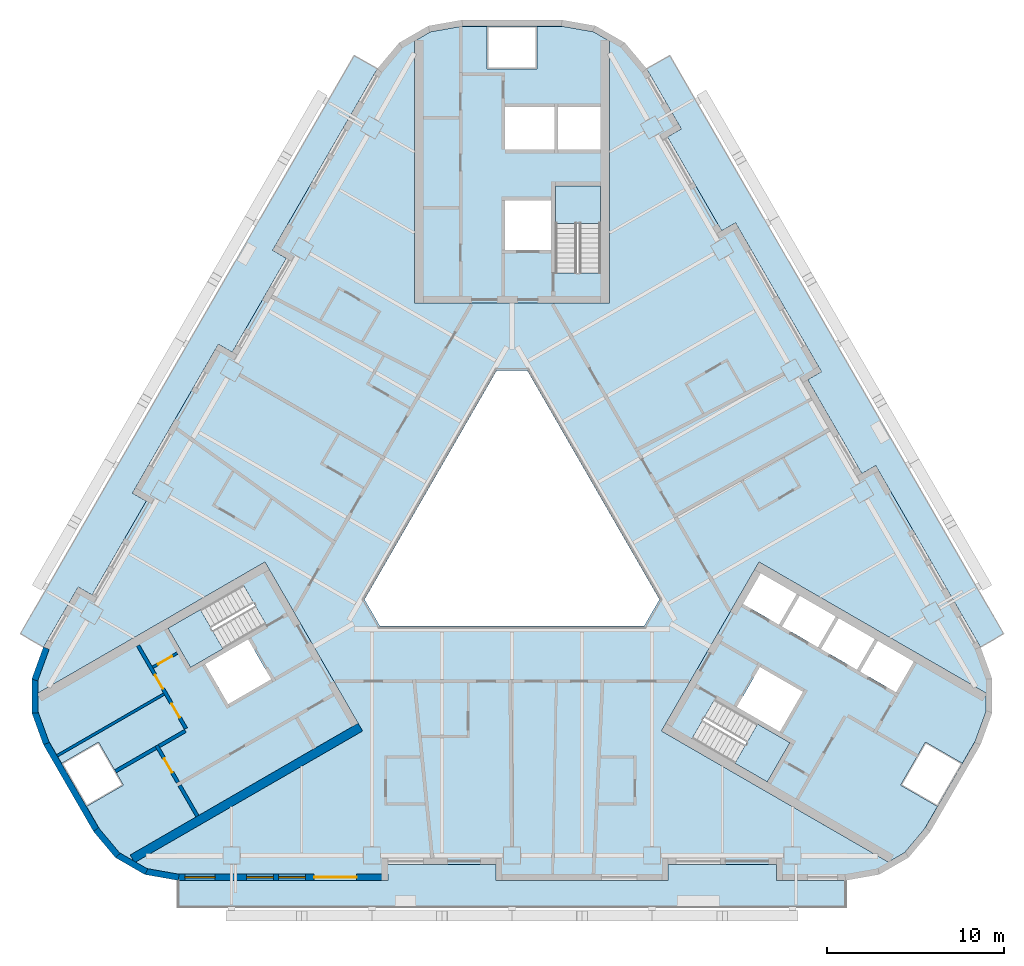
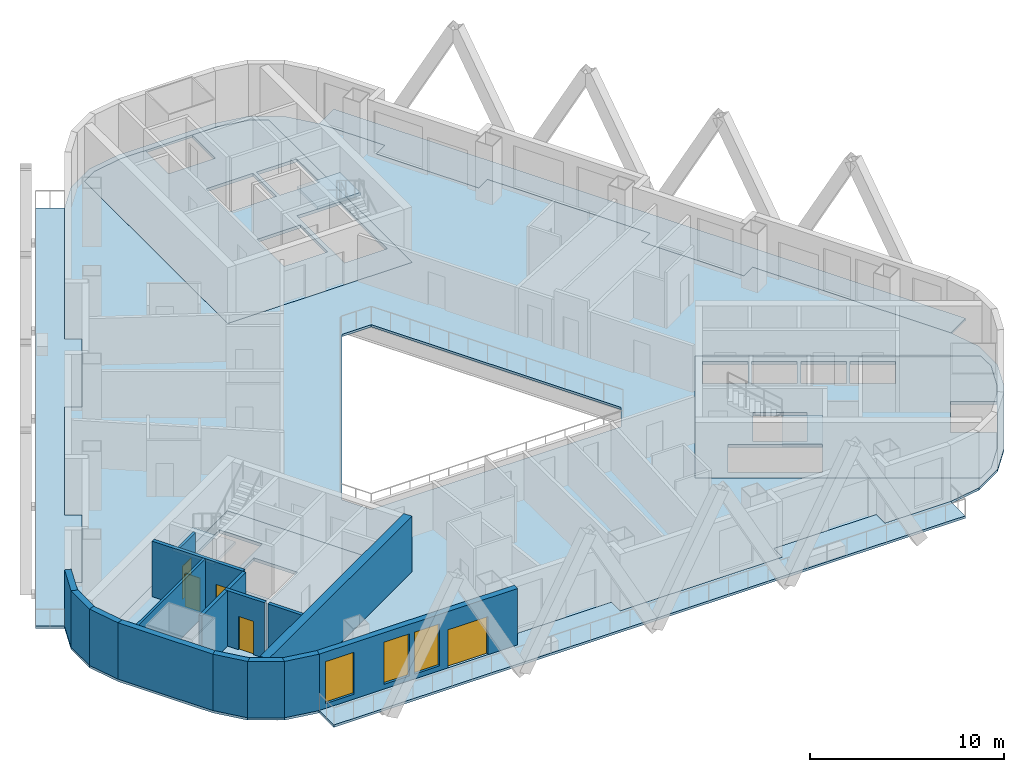
# One storey, part 2 of 14: 16 walls, 10 slabs, 5 doors, 3 windows, 8 openings, 3 elements without a shape of their own.
"""IFC4 building model written with IfcOpenShell, lengths in metres."""

from ifc_helpers import new_model, si_unit, direction, frame, frame_2d, origin, place, context, subcontext, project, spatial, polyline, rectangle, outline, extrude, material, layer, layer_set, type_object, element, fill, aggregate, save


model = new_model("IFC4")

# Units and contexts
model_context = context("Model", 3, precision=1e-05, world=origin(), true_north=direction((0.0, 1.0)))
body_context = subcontext(model_context, "Body", "Model", "MODEL_VIEW")
ifc_project = project(units=[si_unit("LENGTHUNIT", "METRE"), si_unit("AREAUNIT", "SQUARE_METRE"), si_unit("VOLUMEUNIT", "CUBIC_METRE"), si_unit("PLANEANGLEUNIT", "RADIAN"), si_unit("MASSUNIT", "GRAM", prefix="KILO")], contexts=[model_context])

# Site, building, storey
site_placement = place(None, origin())
site = spatial("IfcSite", under=ifc_project, at=site_placement, CompositionType="ELEMENT")
building_placement = place(site_placement, origin())
building = spatial("IfcBuilding", under=site, at=building_placement, Name="Apuvela Tower Hotel", CompositionType="ELEMENT")
storey_placement = place(building_placement, frame((0.0, 0.0, 76.10009765625)))
storey = spatial("IfcBuildingStorey", under=building, at=storey_placement, Name="L16", CompositionType="ELEMENT", Elevation=76.10009765625)

# Slabs
ifc_material_1 = material(Name="Concrete C50/60", Category="concrete")
ifc_layer_1 = layer(ifc_material_1, 0.199951171875)
ifc_layer_set_1 = layer_set([ifc_layer_1], Name="COR-FLOOR-200")
slab_type_1 = type_object("IfcSlabType", Name="COR-FLOOR-200", PredefinedType="FLOOR", material=ifc_layer_set_1)
slab_1_placement = place(storey_placement, frame((0.0, 0.0, -0.2001953125)))
element("IfcSlab", 1, at=slab_1_placement, inside=storey, type_object=slab_type_1, Name="Core floor N", PredefinedType="FLOOR", context=body_context, shape_type="SweptSolid", body=[
    extrude(outline(polyline([(5.5, 27.668212890625), (4.588623046875, 28.1943359375), (2.85498046875, 28.5), (1.39990234375, 28.5), (1.39990234375, 26.10009765625), (-1.39990234375, 26.10009765625), (-1.39990234375, 28.5), (-2.85498046875, 28.5), (-4.588623046875, 28.1943359375), (-5.5, 27.668212890625), (-5.5, 12.89990234375), (5.5, 12.89990234375), (5.5, 27.668212890625)]), holes=[polyline([(5.0, 14.60595703125), (2.449951171875, 14.60595703125), (2.449951171875, 19.5), (5.0, 19.5), (5.0, 14.60595703125)]), polyline([(2.199951171875, 15.89990234375), (-0.39990234375, 15.89990234375), (-0.39990234375, 18.699951171875), (2.199951171875, 18.699951171875), (2.199951171875, 15.89990234375)]), polyline([(5.0, 21.550048828125), (2.60009765625, 21.550048828125), (2.60009765625, 23.949951171875), (5.0, 23.949951171875), (5.0, 21.550048828125)]), polyline([(2.39990234375, 21.550048828125), (-0.39990234375, 21.550048828125), (-0.39990234375, 23.949951171875), (2.39990234375, 23.949951171875), (2.39990234375, 21.550048828125)])]), origin(), (0.0, 0.0, 1.0), 0.2001953125),
])
slab_2_placement = place(storey_placement, frame((0.0, 0.0, -0.2001953125)))
element("IfcSlab", 2, at=slab_2_placement, inside=storey, type_object=slab_type_1, Name="Core floor SW", PredefinedType="FLOOR", context=body_context, shape_type="SweptSolid", body=[
    extrude(outline(polyline([(-26.711181640625, -9.07080078125), (-26.711181640625, -10.123291015625), (-26.109375, -11.77734375), (-25.381591796875, -13.03759765625), (-23.30322265625, -11.837646484375), (-21.9033203125, -14.262451171875), (-23.981689453125, -15.46240234375), (-23.254150390625, -16.72265625), (-22.122802734375, -18.071044921875), (-21.211181640625, -18.59716796875), (-8.421630859375, -11.213134765625), (-13.921630859375, -1.68701171875), (-26.711181640625, -9.07080078125)]), holes=[polyline([(-13.874267578125, -5.18115234375), (-18.112548828125, -7.628173828125), (-19.387451171875, -5.419921875), (-15.149169921875, -2.972900390625), (-13.874267578125, -5.18115234375)]), polyline([(-13.56982421875, -8.29638671875), (-15.99462890625, -9.6962890625), (-17.294677734375, -7.444580078125), (-14.869873046875, -6.044677734375), (-13.56982421875, -8.29638671875)])]), origin(), (0.0, 0.0, 1.0), 0.2001953125),
])
slab_3_placement = place(storey_placement, frame((0.0, 0.0, -0.2001953125)))
element("IfcSlab", 3, at=slab_3_placement, inside=storey, type_object=slab_type_1, Name="Core floor SE", PredefinedType="FLOOR", context=body_context, shape_type="SweptSolid", body=[
    extrude(outline(polyline([(21.211181640625, -18.59716796875), (22.122802734375, -18.071044921875), (23.254150390625, -16.72265625), (23.981689453125, -15.46240234375), (21.9033203125, -14.262451171875), (23.30322265625, -11.837646484375), (25.381591796875, -13.03759765625), (26.109375, -11.77734375), (26.711181640625, -10.123291015625), (26.711181640625, -9.07080078125), (13.921630859375, -1.68701171875), (8.421630859375, -11.213134765625), (21.211181640625, -18.59716796875)]), holes=[polyline([(13.01806640625, -4.052001953125), (14.01806640625, -2.31982421875), (16.044677734375, -3.489990234375), (15.044677734375, -5.221923828125), (13.01806640625, -4.052001953125)]), polyline([(17.244384765625, -6.491943359375), (15.2177734375, -5.322021484375), (16.2177734375, -3.58984375), (18.244384765625, -4.760009765625), (17.244384765625, -6.491943359375)]), polyline([(14.387451171875, -14.080078125), (10.149169921875, -11.633056640625), (11.42431640625, -9.4248046875), (15.66259765625, -11.871826171875), (14.387451171875, -14.080078125)]), polyline([(12.669921875, -9.855224609375), (13.9697265625, -7.603515625), (16.394775390625, -9.003662109375), (15.0947265625, -11.25537109375), (12.669921875, -9.855224609375)]), polyline([(19.444091796875, -7.761962890625), (17.41748046875, -6.591796875), (18.41748046875, -4.85986328125), (20.444091796875, -6.02978515625), (19.444091796875, -7.761962890625)]), polyline([(21.643798828125, -9.031982421875), (19.6171875, -7.86181640625), (20.6171875, -6.1298828125), (22.643798828125, -7.2998046875), (21.643798828125, -9.031982421875)])]), origin(), (0.0, 0.0, 1.0), 0.2001953125),
])

# Stair, slab
stair_type = type_object("IfcStairType", Name="COR-STAIR-22R", PredefinedType="HALF_TURN_STAIR", material=ifc_material_1)
stair_1_placement = place(storey_placement, origin())
stair_1 = element("IfcStair", 4, at=stair_1_placement, inside=storey, type_object=stair_type, Name="L16 Exit stair ST1", PredefinedType="HALF_TURN_STAIR")
ifc_layer_2 = layer(ifc_material_1, 0.199951171875)
ifc_layer_set_2 = layer_set([ifc_layer_2], Name="COR-LANDING-200")
slab_type_2 = type_object("IfcSlabType", Name="COR-LANDING-200", PredefinedType="LANDING", material=ifc_layer_set_2)
slab_4_placement = place(storey_placement, frame((0.0, 0.0, 1.64990234375)))
slab_4 = element("IfcSlab", 5, at=slab_4_placement, type_object=slab_type_2, Name="ST1 landing 1", PredefinedType="LANDING", context=body_context, shape_type="SweptSolid", body=[
    extrude(outline(polyline([(5.0, 17.39404296875), (5.0, 19.5), (2.449951171875, 19.5), (2.449951171875, 17.39404296875), (5.0, 17.39404296875)])), origin(), (0.0, 0.0, 1.0), 0.199951171875),
])
aggregate(stair_1, [slab_4])

stair_2_placement = place(storey_placement, origin())
stair_2 = element("IfcStair", 6, at=stair_2_placement, inside=storey, type_object=stair_type, Name="L16 Exit stair ST2", PredefinedType="HALF_TURN_STAIR")
slab_5_placement = place(storey_placement, frame((0.0, 0.0, 1.64990234375)))
slab_5 = element("IfcSlab", 7, at=slab_5_placement, type_object=slab_type_2, Name="ST2 landing 1", PredefinedType="LANDING", context=body_context, shape_type="SweptSolid", body=[
    extrude(outline(polyline([(-17.563720703125, -4.366943359375), (-19.387451171875, -5.419921875), (-18.112548828125, -7.628173828125), (-16.28857421875, -6.5751953125), (-17.563720703125, -4.366943359375)])), origin(), (0.0, 0.0, 1.0), 0.199951171875),
])
aggregate(stair_2, [slab_5])

stair_3_placement = place(storey_placement, origin())
stair_3 = element("IfcStair", 8, at=stair_3_placement, inside=storey, type_object=stair_type, Name="L16 Exit stair ST3", PredefinedType="HALF_TURN_STAIR")
slab_6_placement = place(storey_placement, frame((0.0, 0.0, 1.64990234375)))
slab_6 = element("IfcSlab", 9, at=slab_6_placement, type_object=slab_type_2, Name="ST3 landing 1", PredefinedType="LANDING", context=body_context, shape_type="SweptSolid", body=[
    extrude(outline(polyline([(12.563720703125, -13.027099609375), (14.387451171875, -14.080078125), (15.66259765625, -11.871826171875), (13.838623046875, -10.81884765625), (12.563720703125, -13.027099609375)])), origin(), (0.0, 0.0, 1.0), 0.199951171875),
])
aggregate(stair_3, [slab_6])

# Slabs
ifc_material_2 = material(Name="Concrete C40/50, fair-faced", Category="concrete")
ifc_layer_3 = layer(ifc_material_2, 0.14990234375)
ifc_layer_set_3 = layer_set([ifc_layer_3], Name="ENV-BALCONY-150")
slab_type_3 = type_object("IfcSlabType", Name="ENV-BALCONY-150", PredefinedType="FLOOR", material=ifc_layer_set_3)
slab_7_placement = place(storey_placement, frame((0.0, 0.0, -0.150146484375)))
element("IfcSlab", 10, at=slab_7_placement, inside=storey, type_object=slab_type_3, Name="Balcony slab S L16", PredefinedType="FLOOR", context=body_context, shape_type="SweptSolid", body=[
    extrude(outline(polyline([(18.82080078125, -21.135009765625), (-18.82080078125, -21.135009765625), (-18.82080078125, -19.625), (-7.0048828125, -19.625), (-7.0048828125, -18.72509765625), (-0.89501953125, -18.72509765625), (-0.89501953125, -19.625), (8.794921875, -19.625), (8.794921875, -18.72509765625), (14.905029296875, -18.72509765625), (14.905029296875, -19.625), (18.82080078125, -19.625), (18.82080078125, -21.135009765625)])), origin(), (0.0, 0.0, 1.0), 0.150146484375),
])
slab_8_placement = place(storey_placement, frame((0.0, 0.0, -0.150146484375)))
element("IfcSlab", 11, at=slab_8_placement, inside=storey, type_object=slab_type_3, Name="Balcony slab NE L16", PredefinedType="FLOOR", context=body_context, shape_type="SweptSolid", body=[
    extrude(outline(polyline([(17.443359375, 9.037353515625), (12.598388671875, 17.42919921875), (11.81884765625, 16.979248046875), (8.763916015625, 22.2705078125), (9.543212890625, 22.720703125), (7.585205078125, 26.11181640625), (8.89306640625, 26.86669921875), (27.7138671875, -5.731689453125), (26.40625, -6.48681640625), (20.498291015625, 3.74609375), (19.71875, 3.2958984375), (16.663818359375, 8.58740234375), (17.443359375, 9.037353515625)])), origin(), (0.0, 0.0, 1.0), 0.150146484375),
])
slab_9_placement = place(storey_placement, frame((0.0, 0.0, -0.150146484375)))
element("IfcSlab", 12, at=slab_9_placement, inside=storey, type_object=slab_type_3, Name="Balcony slab NW L16", PredefinedType="FLOOR", context=body_context, shape_type="SweptSolid", body=[
    extrude(outline(polyline([(-27.7138671875, -5.731689453125), (-8.89306640625, 26.86669921875), (-7.585205078125, 26.11181640625), (-13.4931640625, 15.87890625), (-12.7138671875, 15.428955078125), (-15.768798828125, 10.1376953125), (-16.548095703125, 10.587646484375), (-21.393310546875, 2.19580078125), (-20.61376953125, 1.745849609375), (-23.668701171875, -3.545654296875), (-24.4482421875, -3.095703125), (-26.40625, -6.48681640625), (-27.7138671875, -5.731689453125)])), origin(), (0.0, 0.0, 1.0), 0.150146484375),
])
ifc_material_3 = material(Name="Concrete C35/45", Category="concrete")
ifc_layer_4 = layer(ifc_material_3, 0.14990234375)
ifc_layer_set_4 = layer_set([ifc_layer_4], Name="STR-SLAB 150 floor Concrete C35/45")
slab_type_4 = type_object("IfcSlabType", Name="STR-SLAB 150 floor Concrete C35/45", PredefinedType="FLOOR", material=ifc_layer_set_4)
slab_10_placement = place(storey_placement, frame((0.0, 0.0, -0.150146484375)))
element("IfcSlab", 13, at=slab_10_placement, inside=storey, type_object=slab_type_4, Name="Floor slab S4 L16", PredefinedType="FLOOR", context=body_context, shape_type="SweptSolid", body=[
    extrude(outline(polyline([(-6.3642578125, 27.5732421875), (-4.710205078125, 28.5283203125), (-2.8291015625, 28.860107421875), (2.8291015625, 28.860107421875), (4.710205078125, 28.5283203125), (6.3642578125, 27.5732421875), (7.59228515625, 26.110107421875), (9.550048828125, 22.71875), (8.770751953125, 22.268798828125), (11.82080078125, 16.986083984375), (12.60009765625, 17.43603515625), (17.4501953125, 9.035400390625), (16.670654296875, 8.58544921875), (19.720703125, 3.302734375), (20.5, 3.752685546875), (26.407958984375, -6.47998046875), (27.061279296875, -8.27490234375), (27.061279296875, -10.18505859375), (26.407958984375, -11.97998046875), (23.5791015625, -16.8798828125), (22.351318359375, -18.34326171875), (20.697021484375, -19.29833984375), (18.81591796875, -19.6298828125), (14.89990234375, -19.6298828125), (14.89990234375, -18.72998046875), (8.800048828125, -18.72998046875), (8.800048828125, -19.6298828125), (-0.89990234375, -19.6298828125), (-0.89990234375, -18.72998046875), (-7.0, -18.72998046875), (-7.0, -19.6298828125), (-18.81591796875, -19.6298828125), (-20.697021484375, -19.29833984375), (-22.351318359375, -18.34326171875), (-23.5791015625, -16.8798828125), (-26.407958984375, -11.97998046875), (-27.061279296875, -10.18505859375), (-27.061279296875, -8.27490234375), (-26.407958984375, -6.47998046875), (-24.4501953125, -3.088623046875), (-23.670654296875, -3.538818359375), (-20.62060546875, 1.743896484375), (-21.400146484375, 2.194091796875), (-16.550048828125, 10.594482421875), (-15.7705078125, 10.14453125), (-12.720703125, 15.42724609375), (-13.5, 15.877197265625), (-7.59228515625, 26.110107421875), (-6.3642578125, 27.5732421875)]), holes=[polyline([(0.865966796875, 9.10009765625), (-0.865966796875, 9.10009765625), (-8.313720703125, -3.800048828125), (-7.44775390625, -5.300048828125), (7.44775390625, -5.300048828125), (8.313720703125, -3.800048828125), (0.865966796875, 9.10009765625)]), polyline([(-5.5, 12.89990234375), (-5.5, 27.668212890625), (-4.588623046875, 28.1943359375), (-2.85498046875, 28.5), (2.85498046875, 28.5), (4.588623046875, 28.1943359375), (5.5, 27.668212890625), (5.5, 12.89990234375), (-5.5, 12.89990234375)]), polyline([(-8.421630859375, -11.213134765625), (-21.211181640625, -18.59716796875), (-22.122802734375, -18.071044921875), (-23.254150390625, -16.72265625), (-26.109375, -11.77734375), (-26.711181640625, -10.123291015625), (-26.711181640625, -9.07080078125), (-13.921630859375, -1.68701171875), (-8.421630859375, -11.213134765625)]), polyline([(13.921630859375, -1.68701171875), (26.711181640625, -9.07080078125), (26.711181640625, -10.123291015625), (26.109375, -11.77734375), (23.254150390625, -16.72265625), (22.122802734375, -18.071044921875), (21.211181640625, -18.59716796875), (8.421630859375, -11.213134765625), (13.921630859375, -1.68701171875)])]), origin(), (0.0, 0.0, 1.0), 0.150146484375),
])

# Wall
ifc_layer_5 = layer(ifc_material_1, 0.5)
ifc_layer_set_5 = layer_set([ifc_layer_5], Name="COR-WALL-CORE-500")
wall_type_1 = type_object("IfcWallType", Name="COR-WALL-CORE-500", PredefinedType="SHEAR", material=ifc_layer_set_5)
wall_1_placement = place(storey_placement, frame((-8.546630859375, -10.99658203125, 0.0), z_axis=(0.0, 0.0, 1.0), x_axis=(-0.866025009528, -0.500000682871, 0.0)))
element("IfcWall", 14, at=wall_1_placement, inside=storey, type_object=wall_type_1, Name="Core wall SW", PredefinedType="SHEAR", context=body_context, shape_type="SweptSolid", body=[
    extrude(rectangle(XDim=14.8369140625, YDim=0.5, at=frame_2d((7.41845703125, 0.0))), origin(), (0.0, 0.0, 1.0), 3.5),
])

# Wall, opening, door
ifc_material_4 = material(Name="Blockwork 150 mm plastered", Category="masonry")
ifc_layer_6 = layer(ifc_material_4, 0.14990234375)
ifc_layer_set_6 = layer_set([ifc_layer_6], Name="COR-WALL-PART-150")
wall_type_2 = type_object("IfcWallType", Name="COR-WALL-PART-150", PredefinedType="PARTITIONING", material=ifc_layer_set_6)
wall_2_placement = place(storey_placement, frame((-18.866455078125, -6.822265625, 0.0), z_axis=(0.0, 0.0, 1.0), x_axis=(-0.866028054938, -0.499995408039, 0.0)))
wall_2 = element("IfcWall", 15, at=wall_2_placement, inside=storey, type_object=wall_type_2, Name="Partition SW", PredefinedType="PARTITIONING", context=body_context, shape_type="SweptSolid", body=[
    extrude(rectangle(XDim=1.60009765625, YDim=0.14990234375, at=frame_2d((0.800048828125, 0.0))), origin(), (0.0, 0.0, 1.0), 3.5),
])
opening_1_placement = place(wall_2_placement, frame((0.35009765625, 0.0, 0.0)))
opening_1 = element("IfcOpeningElement", 16, at=opening_1_placement, cuts=wall_2, Name="Opening W-RD", PredefinedType="OPENING", context=body_context, shape_type="SweptSolid", body=[
    extrude(rectangle(XDim=0.89990234375, YDim=2.10009765625, at=frame_2d((0.449951171875, 1.050048828125))), frame((0.0, 0.0849609375, 0.0), z_axis=(0.0, -1.0, 0.0), x_axis=(1.0, 0.0, 0.0)), (0.0, 0.0, 1.0), 0.169921875),
])
ifc_material_5 = material(Name="Steel access door, powder coated", Category="steel")
door_type_1 = type_object("IfcDoorType", Name="COR-RD-900", OperationType="NOTDEFINED", PredefinedType="DOOR", material=ifc_material_5)
door_1_placement = place(opening_1_placement, frame((0.89990234375, 0.0, 0.0), z_axis=(0.0, 0.0, 1.0), x_axis=(-1.0, 0.0, 0.0)))
door_1 = element("IfcDoor", 17, at=door_1_placement, inside=storey, type_object=door_type_1, Name="Riser door W-RD", OperationType="SINGLE_SWING_RIGHT", OverallHeight=2.10009765625, OverallWidth=0.89990234375, PredefinedType="DOOR", context=body_context, shape_type="SweptSolid", body=[
    extrude(rectangle(XDim=0.89990234375, YDim=2.10009765625, at=frame_2d((0.449951171875, 1.050048828125))), frame((0.0, 0.02490234375, 0.0), z_axis=(0.0, -1.0, 0.0), x_axis=(1.0, 0.0, 0.0)), (0.0, 0.0, 1.0), 0.050048828125),
])
fill(opening_1, door_1)

# Wall
wall_3_placement = place(storey_placement, frame((-19.61279296875, -9.129638671875, 0.0), z_axis=(0.0, 0.0, 1.0), x_axis=(-0.866031734426, -0.499989034847, 0.0)))
element("IfcWall", 18, at=wall_3_placement, inside=storey, type_object=wall_type_2, Name="Partition SW", PredefinedType="PARTITIONING", context=body_context, shape_type="SweptSolid", body=[
    extrude(rectangle(XDim=6.949951171875, YDim=0.14990234375, at=frame_2d((3.47509765625, 0.0))), origin(), (0.0, 0.0, 1.0), 3.5),
])

# Wall, openings, doors
ifc_material_6 = material(Name="Blockwork 200 mm plastered", Category="masonry")
ifc_layer_7 = layer(ifc_material_6, 0.199951171875)
ifc_layer_set_7 = layer_set([ifc_layer_7], Name="COR-WALL-PART-200")
wall_type_3 = type_object("IfcWallType", Name="COR-WALL-PART-200", PredefinedType="PARTITIONING", material=ifc_layer_set_7)
wall_4_placement = place(storey_placement, frame((-21.076171875, -6.39501953125, 0.0), z_axis=(0.0, 0.0, 1.0), x_axis=(0.50001468107, -0.866016927499, 0.0)))
wall_4 = element("IfcWall", 19, at=wall_4_placement, inside=storey, type_object=wall_type_3, Name="Partition SW", PredefinedType="PARTITIONING", context=body_context, shape_type="SweptSolid", body=[
    extrude(rectangle(XDim=5.399658203125, YDim=0.199951171875, at=frame_2d((2.69970703125, 0.0))), origin(), (0.0, 0.0, 1.0), 3.5),
])
opening_2_placement = place(wall_4_placement, frame((1.91259765625, 0.0, 0.0)))
opening_2 = element("IfcOpeningElement", 20, at=opening_2_placement, cuts=wall_4, Name="Opening W-RS1", PredefinedType="OPENING", context=body_context, shape_type="SweptSolid", body=[
    extrude(rectangle(XDim=0.89990234375, YDim=2.10009765625, at=frame_2d((0.449951171875, 1.050048828125))), frame((0.0, 0.10986328125, 0.0), z_axis=(0.0, -1.0, 0.0), x_axis=(1.0, 0.0, 0.0)), (0.0, 0.0, 1.0), 0.219970703125),
])
opening_3_placement = place(wall_4_placement, frame((3.78759765625, 0.0, 0.0)))
opening_3 = element("IfcOpeningElement", 21, at=opening_3_placement, cuts=wall_4, Name="Opening W-RS2", PredefinedType="OPENING", context=body_context, shape_type="SweptSolid", body=[
    extrude(rectangle(XDim=0.89990234375, YDim=2.10009765625, at=frame_2d((0.449951171875, 1.050048828125))), frame((0.0, 0.10986328125, 0.0), z_axis=(0.0, -1.0, 0.0), x_axis=(1.0, 0.0, 0.0)), (0.0, 0.0, 1.0), 0.219970703125),
])
ifc_material_7 = material(Name="Steel fire door, powder coated", Category="steel")
door_type_2 = type_object("IfcDoorType", Name="COR-DR-900", OperationType="NOTDEFINED", PredefinedType="DOOR", material=ifc_material_7)
door_2_placement = place(opening_2_placement, frame((0.89990234375, 0.0, 0.0), z_axis=(0.0, 0.0, 1.0), x_axis=(-1.0, 0.0, 0.0)))
door_2 = element("IfcDoor", 22, at=door_2_placement, inside=storey, type_object=door_type_2, Name="Store door W-RS1", OperationType="SINGLE_SWING_LEFT", OverallHeight=2.10009765625, OverallWidth=0.89990234375, PredefinedType="DOOR", context=body_context, shape_type="SweptSolid", body=[
    extrude(rectangle(XDim=0.89990234375, YDim=2.10009765625, at=frame_2d((0.449951171875, 1.050048828125))), frame((0.0, 0.02490234375, 0.0), z_axis=(0.0, -1.0, 0.0), x_axis=(1.0, 0.0, 0.0)), (0.0, 0.0, 1.0), 0.050048828125),
])
fill(opening_2, door_2)
door_3_placement = place(opening_3_placement, frame((0.89990234375, 0.0, 0.0), z_axis=(0.0, 0.0, 1.0), x_axis=(-1.0, 0.0, 0.0)))
door_3 = element("IfcDoor", 23, at=door_3_placement, inside=storey, type_object=door_type_2, Name="Store door W-RS2", OperationType="SINGLE_SWING_LEFT", OverallHeight=2.10009765625, OverallWidth=0.89990234375, PredefinedType="DOOR", context=body_context, shape_type="SweptSolid", body=[
    extrude(rectangle(XDim=0.89990234375, YDim=2.10009765625, at=frame_2d((0.449951171875, 1.050048828125))), frame((0.0, 0.02490234375, 0.0), z_axis=(0.0, -1.0, 0.0), x_axis=(1.0, 0.0, 0.0)), (0.0, 0.0, 1.0), 0.050048828125),
])
fill(opening_3, door_3)

# Wall, opening, door
ifc_layer_8 = layer(ifc_material_1, 0.199951171875)
ifc_layer_set_8 = layer_set([ifc_layer_8], Name="COR-WALL-SHAFT-200")
wall_type_4 = type_object("IfcWallType", Name="COR-WALL-SHAFT-200", PredefinedType="SHEAR", material=ifc_layer_set_8)
wall_5_placement = place(storey_placement, frame((-20.030517578125, -12.0263671875, 0.0), z_axis=(0.0, 0.0, 1.0), x_axis=(0.500033551112, -0.866006032174, 0.0)))
wall_5 = element("IfcWall", 24, at=wall_5_placement, inside=storey, type_object=wall_type_4, Name="Shaft wall SW", PredefinedType="SHEAR", context=body_context, shape_type="SweptSolid", body=[
    extrude(rectangle(XDim=2.400146484375, YDim=0.199951171875, at=frame_2d((1.2001953125, 0.0))), origin(), (0.0, 0.0, 1.0), 3.5),
])
opening_4_placement = place(wall_5_placement, frame((0.85009765625, 0.0, 0.0)))
opening_4 = element("IfcOpeningElement", 25, at=opening_4_placement, cuts=wall_5, Name="Opening W-REP", PredefinedType="OPENING", context=body_context, shape_type="SweptSolid", body=[
    extrude(rectangle(XDim=0.89990234375, YDim=2.10009765625, at=frame_2d((0.449951171875, 1.050048828125))), frame((0.0, 0.10986328125, 0.0), z_axis=(0.0, -1.0, 0.0), x_axis=(1.0, 0.0, 0.0)), (0.0, 0.0, 1.0), 0.219970703125),
])
door_4_placement = place(opening_4_placement, frame((0.89990234375, 0.0, 0.0), z_axis=(0.0, 0.0, 1.0), x_axis=(-1.0, 0.0, 0.0)))
door_4 = element("IfcDoor", 26, at=door_4_placement, inside=storey, type_object=door_type_2, Name="Store door W-REP", OperationType="SINGLE_SWING_LEFT", OverallHeight=2.10009765625, OverallWidth=0.89990234375, PredefinedType="DOOR", context=body_context, shape_type="SweptSolid", body=[
    extrude(rectangle(XDim=0.89990234375, YDim=2.10009765625, at=frame_2d((0.449951171875, 1.050048828125))), frame((0.0, 0.02490234375, 0.0), z_axis=(0.0, -1.0, 0.0), x_axis=(1.0, 0.0, 0.0)), (0.0, 0.0, 1.0), 0.050048828125),
])
fill(opening_4, door_4)

# Walls
wall_6_placement = place(storey_placement, frame((-18.412841796875, -11.2080078125, 0.0), z_axis=(0.0, 0.0, 1.0), x_axis=(-0.866038183914, -0.499977863513, 0.0)))
element("IfcWall", 27, at=wall_6_placement, inside=storey, type_object=wall_type_4, Name="Shaft wall SW", PredefinedType="SHEAR", context=body_context, shape_type="SweptSolid", body=[
    extrude(rectangle(XDim=1.7099609375, YDim=0.199951171875, at=frame_2d((0.85498046875, 0.0))), origin(), (0.0, 0.0, 1.0), 3.5),
])
wall_7_placement = place(storey_placement, frame((-18.73046875, -14.278076171875, 0.0), z_axis=(0.0, 0.0, 1.0), x_axis=(0.50002537861, -0.866010750942, 0.0)))
element("IfcWall", 28, at=wall_7_placement, inside=storey, type_object=wall_type_4, Name="Shaft wall SW", PredefinedType="SHEAR", context=body_context, shape_type="SweptSolid", body=[
    extrude(rectangle(XDim=2.0, YDim=0.199951171875, at=frame_2d((1.0, 0.0))), origin(), (0.0, 0.0, 1.0), 3.5),
])
wall_8_placement = place(storey_placement, frame((-20.06689453125, -12.1630859375, 0.0), z_axis=(0.0, 0.0, 1.0), x_axis=(-0.866060851709, -0.499938597367, 0.0)))
element("IfcWall", 29, at=wall_8_placement, inside=storey, type_object=wall_type_4, Name="Shaft wall SW", PredefinedType="SHEAR", context=body_context, shape_type="SweptSolid", body=[
    extrude(rectangle(XDim=2.639892578125, YDim=0.199951171875, at=frame_2d((1.31982421875, 0.0))), origin(), (0.0, 0.0, 1.0), 3.5),
])
ifc_material_8 = material(Name="Concrete C40/50, dark pigmented precast panel", Category="concrete")
ifc_layer_9 = layer(ifc_material_8, 0.35009765625)
ifc_layer_set_9 = layer_set([ifc_layer_9], Name="ENV-WALL-350")
wall_type_5 = type_object("IfcWallType", Name="ENV-WALL-350", PredefinedType="SOLIDWALL", material=ifc_layer_set_9)
for number, where, z_axis, x_axis, name in (
    (30, (-26.24365234375, -6.539794921875, 0.0), (0.0, 0.0, 1.0), (-0.342030395486, -0.939688889242, 0.0), "External wall L16-10"),
    (31, (-26.88623046875, -8.27490234375, 0.0), (0.0, 0.0, 1.0), (0.0, -1.0, 0.0), "External wall L16-11"),
    (32, (-26.89697265625, -10.125244140625, 0.0), (0.0, 0.0, 1.0), (0.342030395486, -0.939688889242, 0.0), "External wall L16-12"),
):
    element("IfcWall", number, at=place(storey_placement, frame(where, z_axis=z_axis, x_axis=x_axis)), inside=storey, type_object=wall_type_5, Name=name, PredefinedType="SOLIDWALL", context=body_context, shape_type="SweptSolid", body=[
        extrude(rectangle(XDim=1.91015625, YDim=0.35009765625, at=frame_2d((0.955078125, 0.0))), origin(), (0.0, 0.0, 1.0), 3.5498046875),
    ])
wall_9_placement = place(storey_placement, frame((-26.256591796875, -11.892578125, 0.0), z_axis=(0.0, 0.0, 1.0), x_axis=(0.500018773155, -0.866014564827, 0.0)))
element("IfcWall", 33, at=wall_9_placement, inside=storey, type_object=wall_type_5, Name="External wall L16-13", PredefinedType="SOLIDWALL", context=body_context, shape_type="SweptSolid", body=[
    extrude(rectangle(XDim=5.657958984375, YDim=0.35009765625, at=frame_2d((2.8291015625, 0.0))), origin(), (0.0, 0.0, 1.0), 3.5498046875),
])
for number, where, z_axis, x_axis, name in (
    (34, (-23.44482421875, -16.767578125, 0.0), (0.0, 0.0, 1.0), (0.642733291068, -0.76609001857, 0.0), "External wall L16-14"),
    (35, (-22.263671875, -18.191650390625, 0.0), (0.0, 0.0, 1.0), (0.866000389056, -0.500043324278, 0.0), "External wall L16-15"),
):
    element("IfcWall", number, at=place(storey_placement, frame(where, z_axis=z_axis, x_axis=x_axis)), inside=storey, type_object=wall_type_5, Name=name, PredefinedType="SOLIDWALL", context=body_context, shape_type="SweptSolid", body=[
        extrude(rectangle(XDim=1.909912109375, YDim=0.35009765625, at=frame_2d((0.955078125, 0.0))), origin(), (0.0, 0.0, 1.0), 3.5498046875),
    ])
wall_10_placement = place(storey_placement, frame((-20.66650390625, -19.1259765625, 0.0), z_axis=(0.0, 0.0, 1.0), x_axis=(0.984798995425, -0.173697837091, 0.0)))
element("IfcWall", 36, at=wall_10_placement, inside=storey, type_object=wall_type_5, Name="External wall L16-16", PredefinedType="SOLIDWALL", context=body_context, shape_type="SweptSolid", body=[
    extrude(rectangle(XDim=1.91015625, YDim=0.35009765625, at=frame_2d((0.955078125, 0.0))), origin(), (0.0, 0.0, 1.0), 3.5498046875),
])

# Wall, openings, door, windows
wall_11_placement = place(storey_placement, frame((-18.81591796875, -19.455078125, 0.0), z_axis=(0.0, 0.0, 1.0), x_axis=(1.0, 0.0, 0.0)))
wall_11 = element("IfcWall", 37, at=wall_11_placement, inside=storey, type_object=wall_type_5, Name="External wall L16-17", PredefinedType="SOLIDWALL", context=body_context, shape_type="SweptSolid", body=[
    extrude(rectangle(XDim=11.81591796875, YDim=0.35009765625, at=frame_2d((5.907958984375, 0.0))), origin(), (0.0, 0.0, 1.0), 3.5498046875),
])
opening_5_placement = place(wall_11_placement, frame((0.380615234375, 0.0, 0.300048828125)))
opening_5 = element("IfcOpeningElement", 38, at=opening_5_placement, cuts=wall_11, Name="Opening WN17", PredefinedType="OPENING", context=body_context, shape_type="SweptSolid", body=[
    extrude(rectangle(XDim=1.699951171875, YDim=2.64990234375, at=frame_2d((0.85009765625, 1.324951171875))), frame((0.0, 0.18505859375, 0.0), z_axis=(0.0, -1.0, 0.0), x_axis=(1.0, 0.0, 0.0)), (0.0, 0.0, 1.0), 0.3701171875),
])
opening_6_placement = place(wall_11_placement, frame((7.665283203125, 0.0, 0.0)))
opening_6 = element("IfcOpeningElement", 39, at=opening_6_placement, cuts=wall_11, Name="Opening BD24", PredefinedType="OPENING", context=body_context, shape_type="SweptSolid", body=[
    extrude(rectangle(XDim=2.39990234375, YDim=2.39990234375, at=frame_2d((1.199951171875, 1.199951171875))), frame((0.0, 0.18505859375, 0.0), z_axis=(0.0, -1.0, 0.0), x_axis=(1.0, 0.0, 0.0)), (0.0, 0.0, 1.0), 0.3701171875),
])
opening_7_placement = place(wall_11_placement, frame((3.865966796875, 0.0, 0.300048828125)))
opening_7 = element("IfcOpeningElement", 40, at=opening_7_placement, cuts=wall_11, Name="Opening WN15", PredefinedType="OPENING", context=body_context, shape_type="SweptSolid", body=[
    extrude(rectangle(XDim=1.5, YDim=2.64990234375, at=frame_2d((0.75, 1.324951171875))), frame((0.0, 0.18505859375, 0.0), z_axis=(0.0, -1.0, 0.0), x_axis=(1.0, 0.0, 0.0)), (0.0, 0.0, 1.0), 0.3701171875),
])
opening_8_placement = place(wall_11_placement, frame((5.666015625, 0.0, 0.300048828125)))
opening_8 = element("IfcOpeningElement", 41, at=opening_8_placement, cuts=wall_11, Name="Opening WN15", PredefinedType="OPENING", context=body_context, shape_type="SweptSolid", body=[
    extrude(rectangle(XDim=1.5, YDim=2.64990234375, at=frame_2d((0.75, 1.324951171875))), frame((0.0, 0.18505859375, 0.0), z_axis=(0.0, -1.0, 0.0), x_axis=(1.0, 0.0, 0.0)), (0.0, 0.0, 1.0), 0.3701171875),
])
ifc_material_9 = material(Name="Aluminium 6063-T6, dark bronze anodised frame with dark tinted laminated glass", Category="aluminium")
door_type_3 = type_object("IfcDoorType", Name="ENV-DOOR-BALCONY-2400x2400", OperationType="SLIDING_TO_LEFT", PredefinedType="DOOR", material=ifc_material_9)
door_5_placement = place(opening_6_placement, frame((2.39990234375, 0.0, 0.0), z_axis=(0.0, 0.0, 1.0), x_axis=(-1.0, 0.0, 0.0)))
door_5 = element("IfcDoor", 42, at=door_5_placement, inside=storey, type_object=door_type_3, Name="Balcony door BD24", OperationType="SLIDING_TO_LEFT", OverallHeight=2.39990234375, OverallWidth=2.39990234375, PredefinedType="DOOR", context=body_context, shape_type="SweptSolid", body=[
    extrude(rectangle(XDim=2.39990234375, YDim=2.39990234375, at=frame_2d((1.199951171875, 1.199951171875))), frame((0.0, 0.02490234375, 0.0), z_axis=(0.0, -1.0, 0.0), x_axis=(1.0, 0.0, 0.0)), (0.0, 0.0, 1.0), 0.050048828125),
])
fill(opening_6, door_5)
ifc_material_10 = material(Name="Glass, dark tinted laminated insulated glazing unit", Category="glass")
window_type_1 = type_object("IfcWindowType", Name="ENV-WIN-1500x2650", PartitioningType="SINGLE_PANEL", PredefinedType="WINDOW", material=ifc_material_10)
window_1_placement = place(opening_7_placement, origin())
window_1 = element("IfcWindow", 43, at=window_1_placement, inside=storey, type_object=window_type_1, Name="Window WN15", OverallHeight=2.64990234375, OverallWidth=1.5, PartitioningType="SINGLE_PANEL", PredefinedType="WINDOW", context=body_context, shape_type="SweptSolid", body=[
    extrude(rectangle(XDim=1.5, YDim=2.64990234375, at=frame_2d((0.75, 1.324951171875))), frame((0.0, 0.030029296875, 0.0), z_axis=(0.0, -1.0, 0.0), x_axis=(1.0, 0.0, 0.0)), (0.0, 0.0, 1.0), 0.06005859375),
])
fill(opening_7, window_1)
window_2_placement = place(opening_8_placement, origin())
window_2 = element("IfcWindow", 44, at=window_2_placement, inside=storey, type_object=window_type_1, Name="Window WN15", OverallHeight=2.64990234375, OverallWidth=1.5, PartitioningType="SINGLE_PANEL", PredefinedType="WINDOW", context=body_context, shape_type="SweptSolid", body=[
    extrude(rectangle(XDim=1.5, YDim=2.64990234375, at=frame_2d((0.75, 1.324951171875))), frame((0.0, 0.030029296875, 0.0), z_axis=(0.0, -1.0, 0.0), x_axis=(1.0, 0.0, 0.0)), (0.0, 0.0, 1.0), 0.06005859375),
])
fill(opening_8, window_2)
window_type_2 = type_object("IfcWindowType", Name="ENV-WIN-1700x2650", PartitioningType="SINGLE_PANEL", PredefinedType="WINDOW", material=ifc_material_10)
window_3_placement = place(opening_5_placement, origin())
window_3 = element("IfcWindow", 45, at=window_3_placement, inside=storey, type_object=window_type_2, Name="Window WN17", OverallHeight=2.64990234375, OverallWidth=1.699951171875, PartitioningType="SINGLE_PANEL", PredefinedType="WINDOW", context=body_context, shape_type="SweptSolid", body=[
    extrude(rectangle(XDim=1.699951171875, YDim=2.64990234375, at=frame_2d((0.85009765625, 1.324951171875))), frame((0.0, 0.030029296875, 0.0), z_axis=(0.0, -1.0, 0.0), x_axis=(1.0, 0.0, 0.0)), (0.0, 0.0, 1.0), 0.06005859375),
])
fill(opening_5, window_3)

save(model, "model.ifc")
